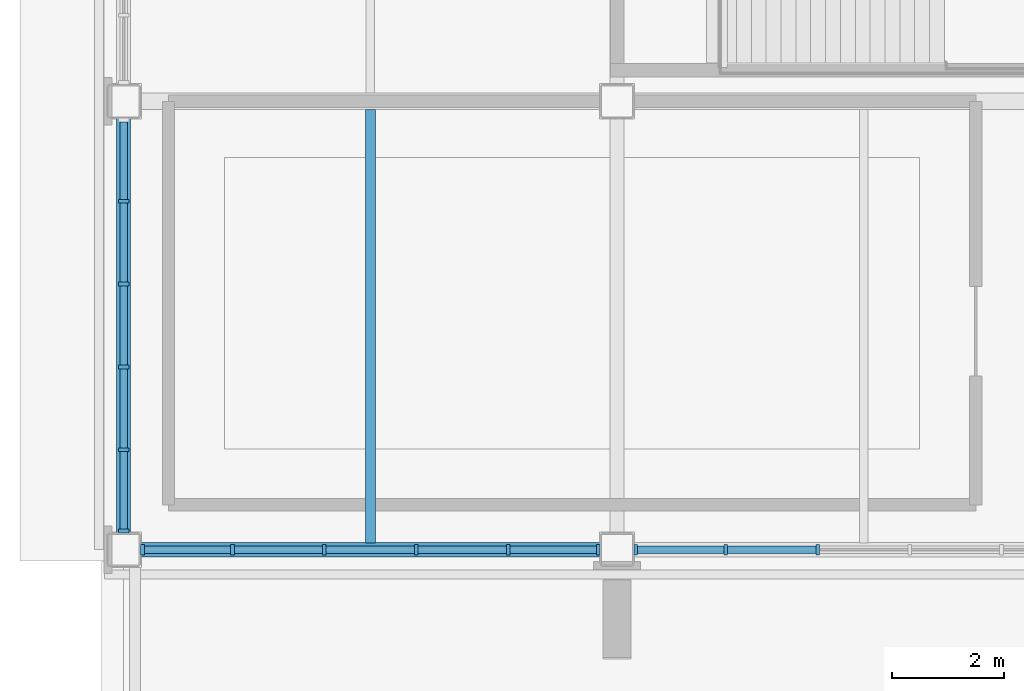
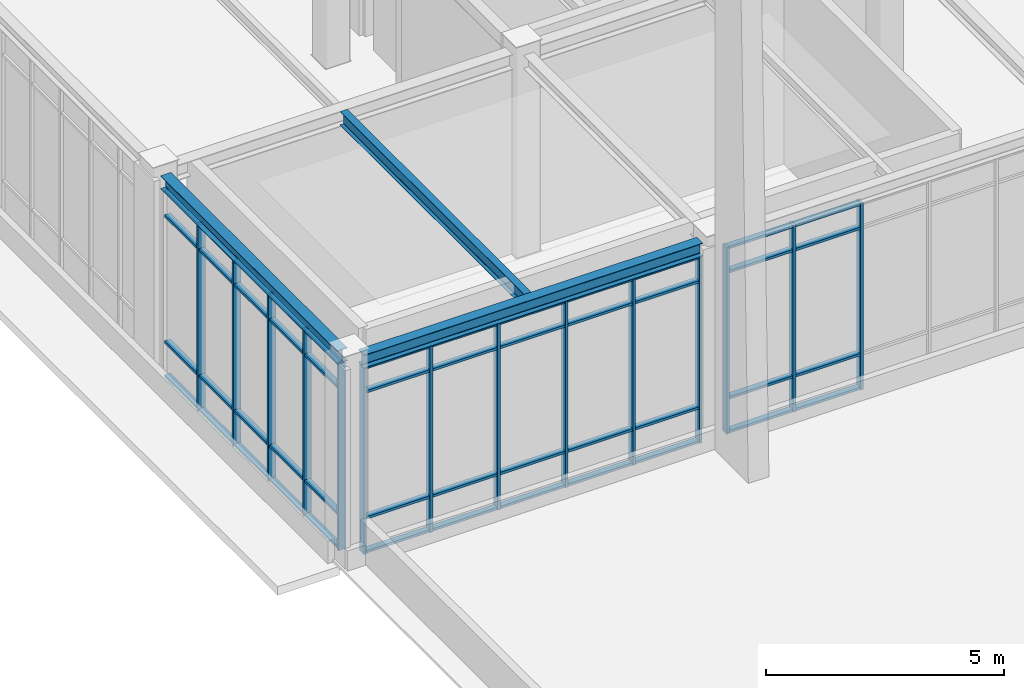
# One storey, part 22 of 108: 62 members, 3 beams, 3 elements without a shape of their own.
"""IFC4 building model written with IfcOpenShell, lengths in metres."""

from ifc_helpers import new_model, si_unit, direction, frame, origin, origin_2d, place, context, subcontext, project, spatial, rectangle, i_section, extrude, material, material_profile, profile_set, type_object, element, aggregate, save


model = new_model("IFC4")

# Units and contexts
model_context = context("Model", 3, precision=1e-05, world=origin(), true_north=direction((0.0, 1.0)))
body_context = subcontext(model_context, "Body", "Model", "MODEL_VIEW")
ifc_project = project(units=[si_unit("LENGTHUNIT", "METRE"), si_unit("AREAUNIT", "SQUARE_METRE"), si_unit("VOLUMEUNIT", "CUBIC_METRE"), si_unit("PLANEANGLEUNIT", "RADIAN"), si_unit("MASSUNIT", "GRAM", prefix="KILO")], contexts=[model_context])

# Site, building, storey
site_placement = place(None, origin())
site = spatial("IfcSite", under=ifc_project, at=site_placement, CompositionType="ELEMENT")
building_placement = place(site_placement, origin())
building = spatial("IfcBuilding", under=site, at=building_placement, Name="Zhaolan Boulevard Law Courts", CompositionType="ELEMENT")
storey_placement = place(building_placement, frame((0.0, 0.0, 10.800048828125)))
storey = spatial("IfcBuildingStorey", under=building, at=storey_placement, Name="L02", CompositionType="ELEMENT", Elevation=10.800048828125)

# Curtain wall, members
ifc_material_1 = material(Name="Thermally broken aluminium and low-E glazing", Category="aluminium")
curtain_wall_type_1 = type_object("IfcCurtainWallType", Name="CURTAIN WALL M7", PredefinedType="USERDEFINED", material=ifc_material_1)
curtain_wall_1_placement = place(storey_placement, origin())
curtain_wall_1 = element("IfcCurtainWall", 1, at=curtain_wall_1_placement, inside=storey, type_object=curtain_wall_type_1, Name="Curtain Wall CW-L02-151", ObjectType="CURTAIN WALL", PredefinedType="USERDEFINED")
ifc_material_2 = material(Name="Fluorocarbon-coated aluminium 6063-T6", Category="aluminium")
ifc_material_profile_1 = material_profile(ifc_material_2, rectangle(XDim=0.179931640625, YDim=0.06494140625, at=origin_2d()), Name="AL65x180")
ifc_profile_set_1 = profile_set([ifc_material_profile_1], Name="Fluorocarbon-coated aluminium 6063-T6")
member_type_1 = type_object("IfcMemberType", Name="CWMULLION 65X180", PredefinedType="MULLION", material=ifc_profile_set_1)
member_1_placement = place(storey_placement, frame((0.33447265625, 30.0, 0.0), z_axis=(0.0, 0.0, 1.0), x_axis=(0.0, 1.0, 0.0)))
member_1 = element("IfcMember", 2, at=member_1_placement, type_object=member_type_1, Name="CW-L02-151 mullion 1", PredefinedType="MULLION", context=body_context, shape_type="SweptSolid", body=[
    extrude(rectangle(XDim=0.179931640625, YDim=0.06494140625, at=origin_2d()), origin(), (0.0, 0.0, 1.0), 4.782958984375),
])
member_2_placement = place(storey_placement, frame((1.941162109375, 30.0, 0.0), z_axis=(0.0, 0.0, 1.0), x_axis=(0.0, 1.0, 0.0)))
member_2 = element("IfcMember", 3, at=member_2_placement, type_object=member_type_1, Name="CW-L02-151 mullion 2", PredefinedType="MULLION", context=body_context, shape_type="SweptSolid", body=[
    extrude(rectangle(XDim=0.179931640625, YDim=0.06494140625, at=origin_2d()), origin(), (0.0, 0.0, 1.0), 4.782958984375),
])
member_3_placement = place(storey_placement, frame((3.580322265625, 30.0, 0.0), z_axis=(0.0, 0.0, 1.0), x_axis=(0.0, 1.0, 0.0)))
member_3 = element("IfcMember", 4, at=member_3_placement, type_object=member_type_1, Name="CW-L02-151 mullion 3", PredefinedType="MULLION", context=body_context, shape_type="SweptSolid", body=[
    extrude(rectangle(XDim=0.179931640625, YDim=0.06494140625, at=origin_2d()), origin(), (0.0, 0.0, 1.0), 4.782958984375),
])
member_4_placement = place(storey_placement, frame((5.219482421875, 30.0, 0.0), z_axis=(0.0, 0.0, 1.0), x_axis=(0.0, 1.0, 0.0)))
member_4 = element("IfcMember", 5, at=member_4_placement, type_object=member_type_1, Name="CW-L02-151 mullion 4", PredefinedType="MULLION", context=body_context, shape_type="SweptSolid", body=[
    extrude(rectangle(XDim=0.179931640625, YDim=0.06494140625, at=origin_2d()), origin(), (0.0, 0.0, 1.0), 4.782958984375),
])
member_5_placement = place(storey_placement, frame((6.85888671875, 30.0, 0.0), z_axis=(0.0, 0.0, 1.0), x_axis=(0.0, 1.0, 0.0)))
member_5 = element("IfcMember", 6, at=member_5_placement, type_object=member_type_1, Name="CW-L02-151 mullion 5", PredefinedType="MULLION", context=body_context, shape_type="SweptSolid", body=[
    extrude(rectangle(XDim=0.179931640625, YDim=0.06494140625, at=origin_2d()), origin(), (0.0, 0.0, 1.0), 4.782958984375),
])
member_6_placement = place(storey_placement, frame((8.465576171875, 30.0, 0.0), z_axis=(0.0, 0.0, 1.0), x_axis=(0.0, 1.0, 0.0)))
member_6 = element("IfcMember", 7, at=member_6_placement, type_object=member_type_1, Name="CW-L02-151 mullion 6", PredefinedType="MULLION", context=body_context, shape_type="SweptSolid", body=[
    extrude(rectangle(XDim=0.179931640625, YDim=0.06494140625, at=origin_2d()), origin(), (0.0, 0.0, 1.0), 4.782958984375),
])

ifc_material_3 = material(Name="Thermally broken aluminium and low-E glazing", Category="aluminium")
curtain_wall_type_2 = type_object("IfcCurtainWallType", Name="CURTAIN WALL M8", PredefinedType="USERDEFINED", material=ifc_material_3)
curtain_wall_2_placement = place(storey_placement, origin())
curtain_wall_2 = element("IfcCurtainWall", 8, at=curtain_wall_2_placement, inside=storey, type_object=curtain_wall_type_2, Name="Curtain Wall CW-L02-152", ObjectType="CURTAIN WALL", PredefinedType="USERDEFINED")
member_7_placement = place(storey_placement, frame((9.134521484375, 30.0, 0.0), z_axis=(0.0, 0.0, 1.0), x_axis=(0.0, 1.0, 0.0)))
member_7 = element("IfcMember", 9, at=member_7_placement, type_object=member_type_1, Name="CW-L02-152 mullion 1", PredefinedType="MULLION", context=body_context, shape_type="SweptSolid", body=[
    extrude(rectangle(XDim=0.179931640625, YDim=0.06494140625, at=origin_2d()), origin(), (0.0, 0.0, 1.0), 4.782958984375),
])
member_8_placement = place(storey_placement, frame((10.7412109375, 30.0, 0.0), z_axis=(0.0, 0.0, 1.0), x_axis=(0.0, 1.0, 0.0)))
member_8 = element("IfcMember", 10, at=member_8_placement, type_object=member_type_1, Name="CW-L02-152 mullion 2", PredefinedType="MULLION", context=body_context, shape_type="SweptSolid", body=[
    extrude(rectangle(XDim=0.179931640625, YDim=0.06494140625, at=origin_2d()), origin(), (0.0, 0.0, 1.0), 4.782958984375),
])
member_9_placement = place(storey_placement, frame((12.38037109375, 30.0, 0.0), z_axis=(0.0, 0.0, 1.0), x_axis=(0.0, 1.0, 0.0)))
member_9 = element("IfcMember", 11, at=member_9_placement, type_object=member_type_1, Name="CW-L02-152 mullion 3", PredefinedType="MULLION", context=body_context, shape_type="SweptSolid", body=[
    extrude(rectangle(XDim=0.179931640625, YDim=0.06494140625, at=origin_2d()), origin(), (0.0, 0.0, 1.0), 4.782958984375),
])

ifc_material_4 = material(Name="Thermally broken aluminium and low-E glazing", Category="aluminium")
curtain_wall_type_3 = type_object("IfcCurtainWallType", Name="CURTAIN WALL M12", PredefinedType="USERDEFINED", material=ifc_material_4)
curtain_wall_3_placement = place(storey_placement, origin())
curtain_wall_3 = element("IfcCurtainWall", 12, at=curtain_wall_3_placement, inside=storey, type_object=curtain_wall_type_3, Name="Curtain Wall CW-L02-156", ObjectType="CURTAIN WALL", PredefinedType="USERDEFINED")
member_10_placement = place(storey_placement, frame((0.0, 36.21875, 0.0), z_axis=(0.0, 0.0, 1.0), x_axis=(1.0, 0.0, 0.0)))
member_10 = element("IfcMember", 13, at=member_10_placement, type_object=member_type_1, Name="CW-L02-156 mullion 2", PredefinedType="MULLION", context=body_context, shape_type="SweptSolid", body=[
    extrude(rectangle(XDim=0.179931640625, YDim=0.06494140625, at=origin_2d()), origin(), (0.0, 0.0, 1.0), 4.782958984375),
])
member_11_placement = place(storey_placement, frame((0.0, 34.739501953125, 0.0), z_axis=(0.0, 0.0, 1.0), x_axis=(1.0, 0.0, 0.0)))
member_11 = element("IfcMember", 14, at=member_11_placement, type_object=member_type_1, Name="CW-L02-156 mullion 3", PredefinedType="MULLION", context=body_context, shape_type="SweptSolid", body=[
    extrude(rectangle(XDim=0.179931640625, YDim=0.06494140625, at=origin_2d()), origin(), (0.0, 0.0, 1.0), 4.782958984375),
])
member_12_placement = place(storey_placement, frame((0.0, 33.260498046875, 0.0), z_axis=(0.0, 0.0, 1.0), x_axis=(1.0, 0.0, 0.0)))
member_12 = element("IfcMember", 15, at=member_12_placement, type_object=member_type_1, Name="CW-L02-156 mullion 4", PredefinedType="MULLION", context=body_context, shape_type="SweptSolid", body=[
    extrude(rectangle(XDim=0.179931640625, YDim=0.06494140625, at=origin_2d()), origin(), (0.0, 0.0, 1.0), 4.782958984375),
])
member_13_placement = place(storey_placement, frame((0.0, 31.78125, 0.0), z_axis=(0.0, 0.0, 1.0), x_axis=(1.0, 0.0, 0.0)))
member_13 = element("IfcMember", 16, at=member_13_placement, type_object=member_type_1, Name="CW-L02-156 mullion 5", PredefinedType="MULLION", context=body_context, shape_type="SweptSolid", body=[
    extrude(rectangle(XDim=0.179931640625, YDim=0.06494140625, at=origin_2d()), origin(), (0.0, 0.0, 1.0), 4.782958984375),
])
member_14_placement = place(storey_placement, frame((0.0, 30.33447265625, 0.0), z_axis=(0.0, 0.0, 1.0), x_axis=(1.0, 0.0, 0.0)))
member_14 = element("IfcMember", 17, at=member_14_placement, type_object=member_type_1, Name="CW-L02-156 mullion 6", PredefinedType="MULLION", context=body_context, shape_type="SweptSolid", body=[
    extrude(rectangle(XDim=0.179931640625, YDim=0.06494140625, at=origin_2d()), origin(), (0.0, 0.0, 1.0), 4.782958984375),
])

# Member
ifc_material_5 = material(Name="Fluorocarbon-coated aluminium 6063-T6", Category="aluminium")
ifc_material_profile_2 = material_profile(ifc_material_5, rectangle(XDim=0.139892578125, YDim=0.06494140625, at=origin_2d()), Name="AL65x140")
ifc_profile_set_2 = profile_set([ifc_material_profile_2], Name="Fluorocarbon-coated aluminium 6063-T6")
member_type_2 = type_object("IfcMemberType", Name="CWTRANSOM 65X140", PredefinedType="USERDEFINED", material=ifc_profile_set_2)
member_15_placement = place(storey_placement, frame((0.366943359375, 30.0, 0.032470703125), z_axis=(1.0, 0.0, 0.0), x_axis=(0.0, 1.0, 0.0)))
member_15 = element("IfcMember", 18, at=member_15_placement, type_object=member_type_2, Name="CW-L02-151 transom 1.1", ObjectType="TRANSOM", PredefinedType="USERDEFINED", context=body_context, shape_type="SweptSolid", body=[
    extrude(rectangle(XDim=0.139892578125, YDim=0.06494140625, at=origin_2d()), origin(), (0.0, 0.0, 1.0), 1.541748046875),
])

member_16_placement = place(storey_placement, frame((0.366943359375, 30.0, 0.89990234375), z_axis=(1.0, 0.0, 0.0), x_axis=(0.0, 1.0, 0.0)))
member_16 = element("IfcMember", 19, at=member_16_placement, type_object=member_type_2, Name="CW-L02-151 transom 1.2", ObjectType="TRANSOM", PredefinedType="USERDEFINED", context=body_context, shape_type="SweptSolid", body=[
    extrude(rectangle(XDim=0.139892578125, YDim=0.06494140625, at=origin_2d()), origin(), (0.0, 0.0, 1.0), 1.541748046875),
])

member_17_placement = place(storey_placement, frame((0.366943359375, 30.0, 4.133056640625), z_axis=(1.0, 0.0, 0.0), x_axis=(0.0, 1.0, 0.0)))
member_17 = element("IfcMember", 20, at=member_17_placement, type_object=member_type_2, Name="CW-L02-151 transom 1.3", ObjectType="TRANSOM", PredefinedType="USERDEFINED", context=body_context, shape_type="SweptSolid", body=[
    extrude(rectangle(XDim=0.139892578125, YDim=0.06494140625, at=origin_2d()), origin(), (0.0, 0.0, 1.0), 1.541748046875),
])

member_18_placement = place(storey_placement, frame((0.366943359375, 30.0, 4.75048828125), z_axis=(1.0, 0.0, 0.0), x_axis=(0.0, 1.0, 0.0)))
member_18 = element("IfcMember", 21, at=member_18_placement, type_object=member_type_2, Name="CW-L02-151 transom 1.4", ObjectType="TRANSOM", PredefinedType="USERDEFINED", context=body_context, shape_type="SweptSolid", body=[
    extrude(rectangle(XDim=0.139892578125, YDim=0.06494140625, at=origin_2d()), origin(), (0.0, 0.0, 1.0), 1.541748046875),
])

member_19_placement = place(storey_placement, frame((1.9736328125, 30.0, 0.032470703125), z_axis=(1.0, 0.0, 0.0), x_axis=(0.0, 1.0, 0.0)))
member_19 = element("IfcMember", 22, at=member_19_placement, type_object=member_type_2, Name="CW-L02-151 transom 2.1", ObjectType="TRANSOM", PredefinedType="USERDEFINED", context=body_context, shape_type="SweptSolid", body=[
    extrude(rectangle(XDim=0.139892578125, YDim=0.06494140625, at=origin_2d()), origin(), (0.0, 0.0, 1.0), 1.57421875),
])

member_20_placement = place(storey_placement, frame((1.9736328125, 30.0, 0.89990234375), z_axis=(1.0, 0.0, 0.0), x_axis=(0.0, 1.0, 0.0)))
member_20 = element("IfcMember", 23, at=member_20_placement, type_object=member_type_2, Name="CW-L02-151 transom 2.2", ObjectType="TRANSOM", PredefinedType="USERDEFINED", context=body_context, shape_type="SweptSolid", body=[
    extrude(rectangle(XDim=0.139892578125, YDim=0.06494140625, at=origin_2d()), origin(), (0.0, 0.0, 1.0), 1.57421875),
])

member_21_placement = place(storey_placement, frame((1.9736328125, 30.0, 4.133056640625), z_axis=(1.0, 0.0, 0.0), x_axis=(0.0, 1.0, 0.0)))
member_21 = element("IfcMember", 24, at=member_21_placement, type_object=member_type_2, Name="CW-L02-151 transom 2.3", ObjectType="TRANSOM", PredefinedType="USERDEFINED", context=body_context, shape_type="SweptSolid", body=[
    extrude(rectangle(XDim=0.139892578125, YDim=0.06494140625, at=origin_2d()), origin(), (0.0, 0.0, 1.0), 1.57421875),
])

member_22_placement = place(storey_placement, frame((1.9736328125, 30.0, 4.75048828125), z_axis=(1.0, 0.0, 0.0), x_axis=(0.0, 1.0, 0.0)))
member_22 = element("IfcMember", 25, at=member_22_placement, type_object=member_type_2, Name="CW-L02-151 transom 2.4", ObjectType="TRANSOM", PredefinedType="USERDEFINED", context=body_context, shape_type="SweptSolid", body=[
    extrude(rectangle(XDim=0.139892578125, YDim=0.06494140625, at=origin_2d()), origin(), (0.0, 0.0, 1.0), 1.57421875),
])

member_23_placement = place(storey_placement, frame((3.61279296875, 30.0, 0.032470703125), z_axis=(1.0, 0.0, 0.0), x_axis=(0.0, 1.0, 0.0)))
member_23 = element("IfcMember", 26, at=member_23_placement, type_object=member_type_2, Name="CW-L02-151 transom 3.1", ObjectType="TRANSOM", PredefinedType="USERDEFINED", context=body_context, shape_type="SweptSolid", body=[
    extrude(rectangle(XDim=0.139892578125, YDim=0.06494140625, at=origin_2d()), origin(), (0.0, 0.0, 1.0), 1.57421875),
])

member_24_placement = place(storey_placement, frame((3.61279296875, 30.0, 0.89990234375), z_axis=(1.0, 0.0, 0.0), x_axis=(0.0, 1.0, 0.0)))
member_24 = element("IfcMember", 27, at=member_24_placement, type_object=member_type_2, Name="CW-L02-151 transom 3.2", ObjectType="TRANSOM", PredefinedType="USERDEFINED", context=body_context, shape_type="SweptSolid", body=[
    extrude(rectangle(XDim=0.139892578125, YDim=0.06494140625, at=origin_2d()), origin(), (0.0, 0.0, 1.0), 1.57421875),
])

member_25_placement = place(storey_placement, frame((3.61279296875, 30.0, 4.133056640625), z_axis=(1.0, 0.0, 0.0), x_axis=(0.0, 1.0, 0.0)))
member_25 = element("IfcMember", 28, at=member_25_placement, type_object=member_type_2, Name="CW-L02-151 transom 3.3", ObjectType="TRANSOM", PredefinedType="USERDEFINED", context=body_context, shape_type="SweptSolid", body=[
    extrude(rectangle(XDim=0.139892578125, YDim=0.06494140625, at=origin_2d()), origin(), (0.0, 0.0, 1.0), 1.57421875),
])

member_26_placement = place(storey_placement, frame((3.61279296875, 30.0, 4.75048828125), z_axis=(1.0, 0.0, 0.0), x_axis=(0.0, 1.0, 0.0)))
member_26 = element("IfcMember", 29, at=member_26_placement, type_object=member_type_2, Name="CW-L02-151 transom 3.4", ObjectType="TRANSOM", PredefinedType="USERDEFINED", context=body_context, shape_type="SweptSolid", body=[
    extrude(rectangle(XDim=0.139892578125, YDim=0.06494140625, at=origin_2d()), origin(), (0.0, 0.0, 1.0), 1.57421875),
])

member_27_placement = place(storey_placement, frame((5.252197265625, 30.0, 0.032470703125), z_axis=(1.0, 0.0, 0.0), x_axis=(0.0, 1.0, 0.0)))
member_27 = element("IfcMember", 30, at=member_27_placement, type_object=member_type_2, Name="CW-L02-151 transom 4.1", ObjectType="TRANSOM", PredefinedType="USERDEFINED", context=body_context, shape_type="SweptSolid", body=[
    extrude(rectangle(XDim=0.139892578125, YDim=0.06494140625, at=origin_2d()), origin(), (0.0, 0.0, 1.0), 1.57421875),
])

member_28_placement = place(storey_placement, frame((5.252197265625, 30.0, 0.89990234375), z_axis=(1.0, 0.0, 0.0), x_axis=(0.0, 1.0, 0.0)))
member_28 = element("IfcMember", 31, at=member_28_placement, type_object=member_type_2, Name="CW-L02-151 transom 4.2", ObjectType="TRANSOM", PredefinedType="USERDEFINED", context=body_context, shape_type="SweptSolid", body=[
    extrude(rectangle(XDim=0.139892578125, YDim=0.06494140625, at=origin_2d()), origin(), (0.0, 0.0, 1.0), 1.57421875),
])

member_29_placement = place(storey_placement, frame((5.252197265625, 30.0, 4.133056640625), z_axis=(1.0, 0.0, 0.0), x_axis=(0.0, 1.0, 0.0)))
member_29 = element("IfcMember", 32, at=member_29_placement, type_object=member_type_2, Name="CW-L02-151 transom 4.3", ObjectType="TRANSOM", PredefinedType="USERDEFINED", context=body_context, shape_type="SweptSolid", body=[
    extrude(rectangle(XDim=0.139892578125, YDim=0.06494140625, at=origin_2d()), origin(), (0.0, 0.0, 1.0), 1.57421875),
])

member_30_placement = place(storey_placement, frame((5.252197265625, 30.0, 4.75048828125), z_axis=(1.0, 0.0, 0.0), x_axis=(0.0, 1.0, 0.0)))
member_30 = element("IfcMember", 33, at=member_30_placement, type_object=member_type_2, Name="CW-L02-151 transom 4.4", ObjectType="TRANSOM", PredefinedType="USERDEFINED", context=body_context, shape_type="SweptSolid", body=[
    extrude(rectangle(XDim=0.139892578125, YDim=0.06494140625, at=origin_2d()), origin(), (0.0, 0.0, 1.0), 1.57421875),
])

member_31_placement = place(storey_placement, frame((6.891357421875, 30.0, 0.032470703125), z_axis=(1.0, 0.0, 0.0), x_axis=(0.0, 1.0, 0.0)))
member_31 = element("IfcMember", 34, at=member_31_placement, type_object=member_type_2, Name="CW-L02-151 transom 5.1", ObjectType="TRANSOM", PredefinedType="USERDEFINED", context=body_context, shape_type="SweptSolid", body=[
    extrude(rectangle(XDim=0.139892578125, YDim=0.06494140625, at=origin_2d()), origin(), (0.0, 0.0, 1.0), 1.541748046875),
])

member_32_placement = place(storey_placement, frame((6.891357421875, 30.0, 0.89990234375), z_axis=(1.0, 0.0, 0.0), x_axis=(0.0, 1.0, 0.0)))
member_32 = element("IfcMember", 35, at=member_32_placement, type_object=member_type_2, Name="CW-L02-151 transom 5.2", ObjectType="TRANSOM", PredefinedType="USERDEFINED", context=body_context, shape_type="SweptSolid", body=[
    extrude(rectangle(XDim=0.139892578125, YDim=0.06494140625, at=origin_2d()), origin(), (0.0, 0.0, 1.0), 1.541748046875),
])

member_33_placement = place(storey_placement, frame((6.891357421875, 30.0, 4.133056640625), z_axis=(1.0, 0.0, 0.0), x_axis=(0.0, 1.0, 0.0)))
member_33 = element("IfcMember", 36, at=member_33_placement, type_object=member_type_2, Name="CW-L02-151 transom 5.3", ObjectType="TRANSOM", PredefinedType="USERDEFINED", context=body_context, shape_type="SweptSolid", body=[
    extrude(rectangle(XDim=0.139892578125, YDim=0.06494140625, at=origin_2d()), origin(), (0.0, 0.0, 1.0), 1.541748046875),
])

member_34_placement = place(storey_placement, frame((6.891357421875, 30.0, 4.75048828125), z_axis=(1.0, 0.0, 0.0), x_axis=(0.0, 1.0, 0.0)))
member_34 = element("IfcMember", 37, at=member_34_placement, type_object=member_type_2, Name="CW-L02-151 transom 5.4", ObjectType="TRANSOM", PredefinedType="USERDEFINED", context=body_context, shape_type="SweptSolid", body=[
    extrude(rectangle(XDim=0.139892578125, YDim=0.06494140625, at=origin_2d()), origin(), (0.0, 0.0, 1.0), 1.541748046875),
])

aggregate(curtain_wall_1, [member_1, member_2, member_3, member_4, member_5, member_6, member_15, member_16, member_17, member_18, member_19, member_20, member_21, member_22, member_23, member_24, member_25, member_26, member_27, member_28, member_29, member_30, member_31, member_32, member_33, member_34])

member_35_placement = place(storey_placement, frame((9.1669921875, 30.0, 0.032470703125), z_axis=(1.0, 0.0, 0.0), x_axis=(0.0, 1.0, 0.0)))
member_35 = element("IfcMember", 38, at=member_35_placement, type_object=member_type_2, Name="CW-L02-152 transom 1.1", ObjectType="TRANSOM", PredefinedType="USERDEFINED", context=body_context, shape_type="SweptSolid", body=[
    extrude(rectangle(XDim=0.139892578125, YDim=0.06494140625, at=origin_2d()), origin(), (0.0, 0.0, 1.0), 1.541748046875),
])

member_36_placement = place(storey_placement, frame((9.1669921875, 30.0, 0.89990234375), z_axis=(1.0, 0.0, 0.0), x_axis=(0.0, 1.0, 0.0)))
member_36 = element("IfcMember", 39, at=member_36_placement, type_object=member_type_2, Name="CW-L02-152 transom 1.2", ObjectType="TRANSOM", PredefinedType="USERDEFINED", context=body_context, shape_type="SweptSolid", body=[
    extrude(rectangle(XDim=0.139892578125, YDim=0.06494140625, at=origin_2d()), origin(), (0.0, 0.0, 1.0), 1.541748046875),
])

member_37_placement = place(storey_placement, frame((9.1669921875, 30.0, 4.133056640625), z_axis=(1.0, 0.0, 0.0), x_axis=(0.0, 1.0, 0.0)))
member_37 = element("IfcMember", 40, at=member_37_placement, type_object=member_type_2, Name="CW-L02-152 transom 1.3", ObjectType="TRANSOM", PredefinedType="USERDEFINED", context=body_context, shape_type="SweptSolid", body=[
    extrude(rectangle(XDim=0.139892578125, YDim=0.06494140625, at=origin_2d()), origin(), (0.0, 0.0, 1.0), 1.541748046875),
])

member_38_placement = place(storey_placement, frame((9.1669921875, 30.0, 4.75048828125), z_axis=(1.0, 0.0, 0.0), x_axis=(0.0, 1.0, 0.0)))
member_38 = element("IfcMember", 41, at=member_38_placement, type_object=member_type_2, Name="CW-L02-152 transom 1.4", ObjectType="TRANSOM", PredefinedType="USERDEFINED", context=body_context, shape_type="SweptSolid", body=[
    extrude(rectangle(XDim=0.139892578125, YDim=0.06494140625, at=origin_2d()), origin(), (0.0, 0.0, 1.0), 1.541748046875),
])

member_39_placement = place(storey_placement, frame((10.773681640625, 30.0, 0.032470703125), z_axis=(1.0, 0.0, 0.0), x_axis=(0.0, 1.0, 0.0)))
member_39 = element("IfcMember", 42, at=member_39_placement, type_object=member_type_2, Name="CW-L02-152 transom 2.1", ObjectType="TRANSOM", PredefinedType="USERDEFINED", context=body_context, shape_type="SweptSolid", body=[
    extrude(rectangle(XDim=0.139892578125, YDim=0.06494140625, at=origin_2d()), origin(), (0.0, 0.0, 1.0), 1.57421875),
])

member_40_placement = place(storey_placement, frame((10.773681640625, 30.0, 0.89990234375), z_axis=(1.0, 0.0, 0.0), x_axis=(0.0, 1.0, 0.0)))
member_40 = element("IfcMember", 43, at=member_40_placement, type_object=member_type_2, Name="CW-L02-152 transom 2.2", ObjectType="TRANSOM", PredefinedType="USERDEFINED", context=body_context, shape_type="SweptSolid", body=[
    extrude(rectangle(XDim=0.139892578125, YDim=0.06494140625, at=origin_2d()), origin(), (0.0, 0.0, 1.0), 1.57421875),
])

member_41_placement = place(storey_placement, frame((10.773681640625, 30.0, 4.133056640625), z_axis=(1.0, 0.0, 0.0), x_axis=(0.0, 1.0, 0.0)))
member_41 = element("IfcMember", 44, at=member_41_placement, type_object=member_type_2, Name="CW-L02-152 transom 2.3", ObjectType="TRANSOM", PredefinedType="USERDEFINED", context=body_context, shape_type="SweptSolid", body=[
    extrude(rectangle(XDim=0.139892578125, YDim=0.06494140625, at=origin_2d()), origin(), (0.0, 0.0, 1.0), 1.57421875),
])

member_42_placement = place(storey_placement, frame((10.773681640625, 30.0, 4.75048828125), z_axis=(1.0, 0.0, 0.0), x_axis=(0.0, 1.0, 0.0)))
member_42 = element("IfcMember", 45, at=member_42_placement, type_object=member_type_2, Name="CW-L02-152 transom 2.4", ObjectType="TRANSOM", PredefinedType="USERDEFINED", context=body_context, shape_type="SweptSolid", body=[
    extrude(rectangle(XDim=0.139892578125, YDim=0.06494140625, at=origin_2d()), origin(), (0.0, 0.0, 1.0), 1.57421875),
])

aggregate(curtain_wall_2, [member_7, member_8, member_9, member_35, member_36, member_37, member_38, member_39, member_40, member_41, member_42])

member_43_placement = place(storey_placement, frame((0.0, 37.633056640625, 0.032470703125), z_axis=(0.0, -1.0, 0.0), x_axis=(1.0, 0.0, 0.0)))
member_43 = element("IfcMember", 46, at=member_43_placement, type_object=member_type_2, Name="CW-L02-156 transom 1.1", ObjectType="TRANSOM", PredefinedType="USERDEFINED", context=body_context, shape_type="SweptSolid", body=[
    extrude(rectangle(XDim=0.139892578125, YDim=0.06494140625, at=origin_2d()), origin(), (0.0, 0.0, 1.0), 1.3818359375),
])

member_44_placement = place(storey_placement, frame((0.0, 37.633056640625, 0.89990234375), z_axis=(0.0, -1.0, 0.0), x_axis=(1.0, 0.0, 0.0)))
member_44 = element("IfcMember", 47, at=member_44_placement, type_object=member_type_2, Name="CW-L02-156 transom 1.2", ObjectType="TRANSOM", PredefinedType="USERDEFINED", context=body_context, shape_type="SweptSolid", body=[
    extrude(rectangle(XDim=0.139892578125, YDim=0.06494140625, at=origin_2d()), origin(), (0.0, 0.0, 1.0), 1.3818359375),
])

member_45_placement = place(storey_placement, frame((0.0, 37.633056640625, 4.133056640625), z_axis=(0.0, -1.0, 0.0), x_axis=(1.0, 0.0, 0.0)))
member_45 = element("IfcMember", 48, at=member_45_placement, type_object=member_type_2, Name="CW-L02-156 transom 1.3", ObjectType="TRANSOM", PredefinedType="USERDEFINED", context=body_context, shape_type="SweptSolid", body=[
    extrude(rectangle(XDim=0.139892578125, YDim=0.06494140625, at=origin_2d()), origin(), (0.0, 0.0, 1.0), 1.3818359375),
])

member_46_placement = place(storey_placement, frame((0.0, 37.633056640625, 4.75048828125), z_axis=(0.0, -1.0, 0.0), x_axis=(1.0, 0.0, 0.0)))
member_46 = element("IfcMember", 49, at=member_46_placement, type_object=member_type_2, Name="CW-L02-156 transom 1.4", ObjectType="TRANSOM", PredefinedType="USERDEFINED", context=body_context, shape_type="SweptSolid", body=[
    extrude(rectangle(XDim=0.139892578125, YDim=0.06494140625, at=origin_2d()), origin(), (0.0, 0.0, 1.0), 1.3818359375),
])

member_47_placement = place(storey_placement, frame((0.0, 36.186279296875, 0.032470703125), z_axis=(0.0, -1.0, 0.0), x_axis=(1.0, 0.0, 0.0)))
member_47 = element("IfcMember", 50, at=member_47_placement, type_object=member_type_2, Name="CW-L02-156 transom 2.1", ObjectType="TRANSOM", PredefinedType="USERDEFINED", context=body_context, shape_type="SweptSolid", body=[
    extrude(rectangle(XDim=0.139892578125, YDim=0.06494140625, at=origin_2d()), origin(), (0.0, 0.0, 1.0), 1.4140625),
])

member_48_placement = place(storey_placement, frame((0.0, 36.186279296875, 0.89990234375), z_axis=(0.0, -1.0, 0.0), x_axis=(1.0, 0.0, 0.0)))
member_48 = element("IfcMember", 51, at=member_48_placement, type_object=member_type_2, Name="CW-L02-156 transom 2.2", ObjectType="TRANSOM", PredefinedType="USERDEFINED", context=body_context, shape_type="SweptSolid", body=[
    extrude(rectangle(XDim=0.139892578125, YDim=0.06494140625, at=origin_2d()), origin(), (0.0, 0.0, 1.0), 1.4140625),
])

member_49_placement = place(storey_placement, frame((0.0, 36.186279296875, 4.133056640625), z_axis=(0.0, -1.0, 0.0), x_axis=(1.0, 0.0, 0.0)))
member_49 = element("IfcMember", 52, at=member_49_placement, type_object=member_type_2, Name="CW-L02-156 transom 2.3", ObjectType="TRANSOM", PredefinedType="USERDEFINED", context=body_context, shape_type="SweptSolid", body=[
    extrude(rectangle(XDim=0.139892578125, YDim=0.06494140625, at=origin_2d()), origin(), (0.0, 0.0, 1.0), 1.4140625),
])

member_50_placement = place(storey_placement, frame((0.0, 36.186279296875, 4.75048828125), z_axis=(0.0, -1.0, 0.0), x_axis=(1.0, 0.0, 0.0)))
member_50 = element("IfcMember", 53, at=member_50_placement, type_object=member_type_2, Name="CW-L02-156 transom 2.4", ObjectType="TRANSOM", PredefinedType="USERDEFINED", context=body_context, shape_type="SweptSolid", body=[
    extrude(rectangle(XDim=0.139892578125, YDim=0.06494140625, at=origin_2d()), origin(), (0.0, 0.0, 1.0), 1.4140625),
])

member_51_placement = place(storey_placement, frame((0.0, 34.70703125, 0.032470703125), z_axis=(0.0, -1.0, 0.0), x_axis=(1.0, 0.0, 0.0)))
member_51 = element("IfcMember", 54, at=member_51_placement, type_object=member_type_2, Name="CW-L02-156 transom 3.1", ObjectType="TRANSOM", PredefinedType="USERDEFINED", context=body_context, shape_type="SweptSolid", body=[
    extrude(rectangle(XDim=0.139892578125, YDim=0.06494140625, at=origin_2d()), origin(), (0.0, 0.0, 1.0), 1.4140625),
])

member_52_placement = place(storey_placement, frame((0.0, 34.70703125, 0.89990234375), z_axis=(0.0, -1.0, 0.0), x_axis=(1.0, 0.0, 0.0)))
member_52 = element("IfcMember", 55, at=member_52_placement, type_object=member_type_2, Name="CW-L02-156 transom 3.2", ObjectType="TRANSOM", PredefinedType="USERDEFINED", context=body_context, shape_type="SweptSolid", body=[
    extrude(rectangle(XDim=0.139892578125, YDim=0.06494140625, at=origin_2d()), origin(), (0.0, 0.0, 1.0), 1.4140625),
])

member_53_placement = place(storey_placement, frame((0.0, 34.70703125, 4.133056640625), z_axis=(0.0, -1.0, 0.0), x_axis=(1.0, 0.0, 0.0)))
member_53 = element("IfcMember", 56, at=member_53_placement, type_object=member_type_2, Name="CW-L02-156 transom 3.3", ObjectType="TRANSOM", PredefinedType="USERDEFINED", context=body_context, shape_type="SweptSolid", body=[
    extrude(rectangle(XDim=0.139892578125, YDim=0.06494140625, at=origin_2d()), origin(), (0.0, 0.0, 1.0), 1.4140625),
])

member_54_placement = place(storey_placement, frame((0.0, 34.70703125, 4.75048828125), z_axis=(0.0, -1.0, 0.0), x_axis=(1.0, 0.0, 0.0)))
member_54 = element("IfcMember", 57, at=member_54_placement, type_object=member_type_2, Name="CW-L02-156 transom 3.4", ObjectType="TRANSOM", PredefinedType="USERDEFINED", context=body_context, shape_type="SweptSolid", body=[
    extrude(rectangle(XDim=0.139892578125, YDim=0.06494140625, at=origin_2d()), origin(), (0.0, 0.0, 1.0), 1.4140625),
])

member_55_placement = place(storey_placement, frame((0.0, 33.227783203125, 0.032470703125), z_axis=(0.0, -1.0, 0.0), x_axis=(1.0, 0.0, 0.0)))
member_55 = element("IfcMember", 58, at=member_55_placement, type_object=member_type_2, Name="CW-L02-156 transom 4.1", ObjectType="TRANSOM", PredefinedType="USERDEFINED", context=body_context, shape_type="SweptSolid", body=[
    extrude(rectangle(XDim=0.139892578125, YDim=0.06494140625, at=origin_2d()), origin(), (0.0, 0.0, 1.0), 1.4140625),
])

member_56_placement = place(storey_placement, frame((0.0, 33.227783203125, 0.89990234375), z_axis=(0.0, -1.0, 0.0), x_axis=(1.0, 0.0, 0.0)))
member_56 = element("IfcMember", 59, at=member_56_placement, type_object=member_type_2, Name="CW-L02-156 transom 4.2", ObjectType="TRANSOM", PredefinedType="USERDEFINED", context=body_context, shape_type="SweptSolid", body=[
    extrude(rectangle(XDim=0.139892578125, YDim=0.06494140625, at=origin_2d()), origin(), (0.0, 0.0, 1.0), 1.4140625),
])

member_57_placement = place(storey_placement, frame((0.0, 33.227783203125, 4.133056640625), z_axis=(0.0, -1.0, 0.0), x_axis=(1.0, 0.0, 0.0)))
member_57 = element("IfcMember", 60, at=member_57_placement, type_object=member_type_2, Name="CW-L02-156 transom 4.3", ObjectType="TRANSOM", PredefinedType="USERDEFINED", context=body_context, shape_type="SweptSolid", body=[
    extrude(rectangle(XDim=0.139892578125, YDim=0.06494140625, at=origin_2d()), origin(), (0.0, 0.0, 1.0), 1.4140625),
])

member_58_placement = place(storey_placement, frame((0.0, 33.227783203125, 4.75048828125), z_axis=(0.0, -1.0, 0.0), x_axis=(1.0, 0.0, 0.0)))
member_58 = element("IfcMember", 61, at=member_58_placement, type_object=member_type_2, Name="CW-L02-156 transom 4.4", ObjectType="TRANSOM", PredefinedType="USERDEFINED", context=body_context, shape_type="SweptSolid", body=[
    extrude(rectangle(XDim=0.139892578125, YDim=0.06494140625, at=origin_2d()), origin(), (0.0, 0.0, 1.0), 1.4140625),
])

member_59_placement = place(storey_placement, frame((0.0, 31.748779296875, 0.032470703125), z_axis=(0.0, -1.0, 0.0), x_axis=(1.0, 0.0, 0.0)))
member_59 = element("IfcMember", 62, at=member_59_placement, type_object=member_type_2, Name="CW-L02-156 transom 5.1", ObjectType="TRANSOM", PredefinedType="USERDEFINED", context=body_context, shape_type="SweptSolid", body=[
    extrude(rectangle(XDim=0.139892578125, YDim=0.06494140625, at=origin_2d()), origin(), (0.0, 0.0, 1.0), 1.3818359375),
])

member_60_placement = place(storey_placement, frame((0.0, 31.748779296875, 0.89990234375), z_axis=(0.0, -1.0, 0.0), x_axis=(1.0, 0.0, 0.0)))
member_60 = element("IfcMember", 63, at=member_60_placement, type_object=member_type_2, Name="CW-L02-156 transom 5.2", ObjectType="TRANSOM", PredefinedType="USERDEFINED", context=body_context, shape_type="SweptSolid", body=[
    extrude(rectangle(XDim=0.139892578125, YDim=0.06494140625, at=origin_2d()), origin(), (0.0, 0.0, 1.0), 1.3818359375),
])

member_61_placement = place(storey_placement, frame((0.0, 31.748779296875, 4.133056640625), z_axis=(0.0, -1.0, 0.0), x_axis=(1.0, 0.0, 0.0)))
member_61 = element("IfcMember", 64, at=member_61_placement, type_object=member_type_2, Name="CW-L02-156 transom 5.3", ObjectType="TRANSOM", PredefinedType="USERDEFINED", context=body_context, shape_type="SweptSolid", body=[
    extrude(rectangle(XDim=0.139892578125, YDim=0.06494140625, at=origin_2d()), origin(), (0.0, 0.0, 1.0), 1.3818359375),
])

member_62_placement = place(storey_placement, frame((0.0, 31.748779296875, 4.75048828125), z_axis=(0.0, -1.0, 0.0), x_axis=(1.0, 0.0, 0.0)))
member_62 = element("IfcMember", 65, at=member_62_placement, type_object=member_type_2, Name="CW-L02-156 transom 5.4", ObjectType="TRANSOM", PredefinedType="USERDEFINED", context=body_context, shape_type="SweptSolid", body=[
    extrude(rectangle(XDim=0.139892578125, YDim=0.06494140625, at=origin_2d()), origin(), (0.0, 0.0, 1.0), 1.3818359375),
])

aggregate(curtain_wall_3, [member_10, member_11, member_12, member_13, member_14, member_43, member_44, member_45, member_46, member_47, member_48, member_49, member_50, member_51, member_52, member_53, member_54, member_55, member_56, member_57, member_58, member_59, member_60, member_61, member_62])

# Beams
ifc_material_6 = material(Name="Structural steel Q355B", Category="steel")
ifc_material_profile_3 = material_profile(ifc_material_6, i_section(OverallWidth=0.25, OverallDepth=0.340087890625, WebThickness=0.009033203125, FlangeThickness=0.013916015625, FilletRadius=0.01611328125, at=origin_2d()), Name="HM340x250")
ifc_profile_set_3 = profile_set([ifc_material_profile_3], Name="Structural steel Q355B")
beam_type_1 = type_object("IfcBeamType", Name="GIRDER HM340", PredefinedType="BEAM", material=ifc_profile_set_3)
beam_1_placement = place(storey_placement, frame((0.0, 30.2958984375, 4.968017578125), z_axis=(0.0, 1.0, 0.0), x_axis=(-1.0, 0.0, 0.0)))
element("IfcBeam", 66, at=beam_1_placement, inside=storey, type_object=beam_type_1, Name="Beam BY-L03-1-E-F", PredefinedType="BEAM", context=body_context, shape_type="SweptSolid", body=[
    extrude(i_section(OverallWidth=0.25, OverallDepth=0.340087890625, WebThickness=0.009033203125, FlangeThickness=0.013916015625, FilletRadius=0.01611328125, at=origin_2d()), origin(), (0.0, 0.0, 1.0), 7.408203125),
])
ifc_material_7 = material(Name="Structural steel Q355B", Category="steel")
ifc_material_profile_4 = material_profile(ifc_material_7, i_section(OverallWidth=0.175048828125, OverallDepth=0.35009765625, WebThickness=0.007080078125, FlangeThickness=0.010986328125, FilletRadius=0.012939453125, at=origin_2d()), Name="HN350x175")
ifc_profile_set_4 = profile_set([ifc_material_profile_4], Name="Structural steel Q355B")
beam_type_2 = type_object("IfcBeamType", Name="JOIST HN350", PredefinedType="JOIST", material=ifc_profile_set_4)
beam_2_placement = place(storey_placement, frame((4.39990234375, 30.12109375, 4.962890625), z_axis=(0.0, 1.0, 0.0), x_axis=(-1.0, 0.0, 0.0)))
element("IfcBeam", 67, at=beam_2_placement, inside=storey, type_object=beam_type_2, Name="Composite Joist J-L03-1E", PredefinedType="JOIST", context=body_context, shape_type="SweptSolid", body=[
    extrude(i_section(OverallWidth=0.175048828125, OverallDepth=0.35009765625, WebThickness=0.007080078125, FlangeThickness=0.010986328125, FilletRadius=0.012939453125, at=origin_2d()), origin(), (0.0, 0.0, 1.0), 7.73291015625),
])
ifc_material_8 = material(Name="Structural steel Q355B", Category="steel")
ifc_material_profile_5 = material_profile(ifc_material_8, i_section(OverallWidth=0.25, OverallDepth=0.340087890625, WebThickness=0.009033203125, FlangeThickness=0.013916015625, FilletRadius=0.01611328125, at=origin_2d()), Name="HM340x250")
ifc_profile_set_5 = profile_set([ifc_material_profile_5], Name="Structural steel Q355B")
beam_type_3 = type_object("IfcBeamType", Name="SPANDREL HM340", PredefinedType="SPANDREL", material=ifc_profile_set_5)
beam_3_placement = place(storey_placement, frame((0.2958984375, 30.0, 4.968017578125), z_axis=(1.0, 0.0, 0.0), x_axis=(0.0, 1.0, 0.0)))
element("IfcBeam", 68, at=beam_3_placement, inside=storey, type_object=beam_type_3, Name="Beam BX-L03-1-2-E", PredefinedType="SPANDREL", context=body_context, shape_type="SweptSolid", body=[
    extrude(i_section(OverallWidth=0.25, OverallDepth=0.340087890625, WebThickness=0.009033203125, FlangeThickness=0.013916015625, FilletRadius=0.01611328125, at=origin_2d()), origin(), (0.0, 0.0, 1.0), 8.2080078125),
])

save(model, "model.ifc")
